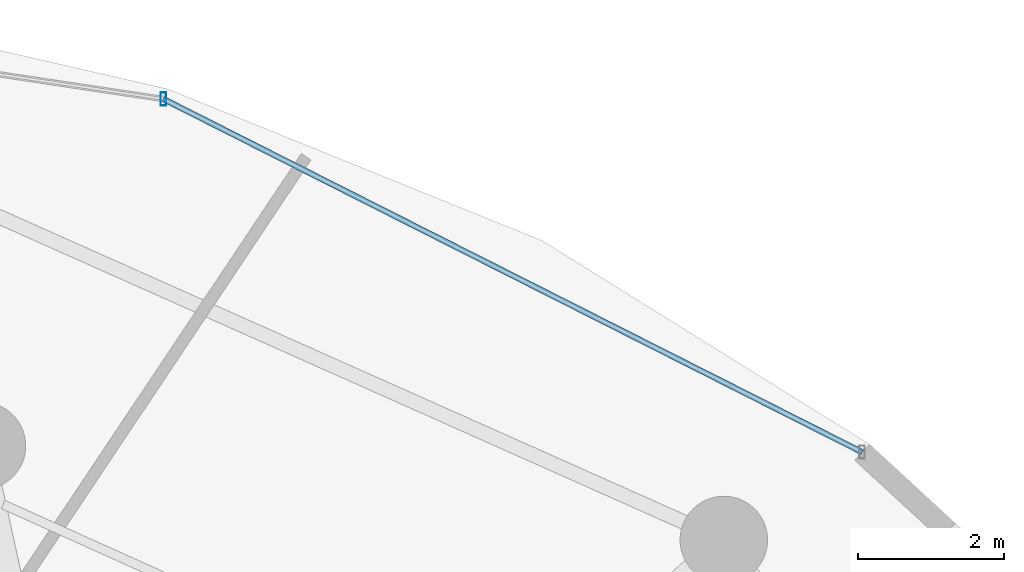
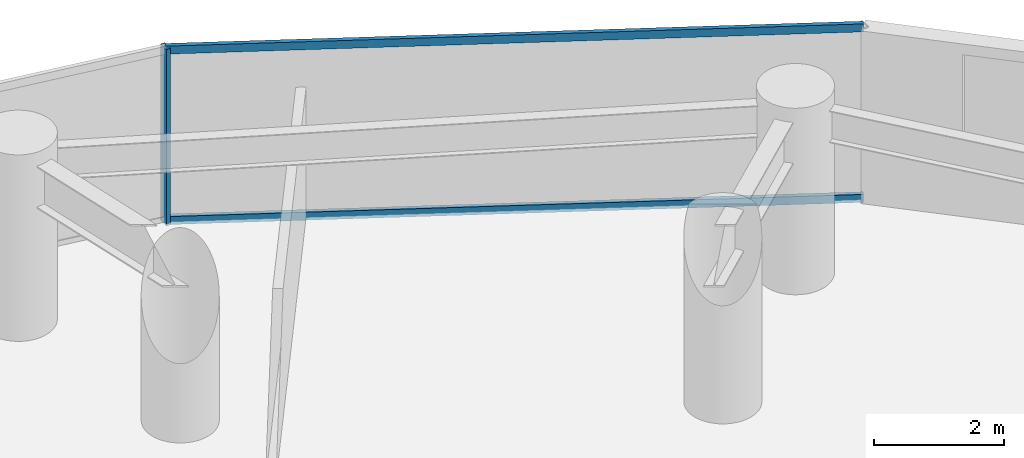
# One storey, part 24 of 35: 3 members, 1 element without a shape of its own.
"""IFC4 building model written with IfcOpenShell, lengths in metres."""

from ifc_helpers import new_model, si_unit, direction, frame, origin, origin_2d, place, context, subcontext, project, spatial, hollow_rectangle, extrude, material, material_profile, profile_set, type_object, element, aggregate, save


model = new_model("IFC4")

# Units and contexts
model_context = context("Model", 3, precision=1e-05, world=origin(), true_north=direction((0.0, 1.0)))
body_context = subcontext(model_context, "Body", "Model", "MODEL_VIEW")
ifc_project = project(units=[si_unit("LENGTHUNIT", "METRE"), si_unit("AREAUNIT", "SQUARE_METRE"), si_unit("VOLUMEUNIT", "CUBIC_METRE"), si_unit("PLANEANGLEUNIT", "RADIAN"), si_unit("MASSUNIT", "GRAM", prefix="KILO")], contexts=[model_context])

# Site, building, storey
site_placement = place(None, origin())
site = spatial("IfcSite", under=ifc_project, at=site_placement, CompositionType="ELEMENT")
building_placement = place(site_placement, origin())
building = spatial("IfcBuilding", under=site, at=building_placement, Name="Vorneva Point Tower", CompositionType="ELEMENT")
storey_placement = place(building_placement, frame((0.0, 0.0, 52.0)))
storey = spatial("IfcBuildingStorey", under=building, at=storey_placement, Name="L13", CompositionType="ELEMENT", Elevation=52.0)

# Curtain wall, members
ifc_material = material(Name="Pale anodised aluminium", Category="aluminium")
curtain_wall_type = type_object("IfcCurtainWallType", Name="CW-HTL-SYS", PredefinedType="NOTDEFINED", material=ifc_material)
curtain_wall_placement = place(storey_placement, origin())
curtain_wall = element("IfcCurtainWall", 1, at=curtain_wall_placement, inside=storey, type_object=curtain_wall_type, Name="L13 Unitised Curtain Wall CW-L13-R02", PredefinedType="NOTDEFINED")
ifc_material_profile_1 = material_profile(ifc_material, hollow_rectangle(XDim=0.074951171875, YDim=0.179931640625, WallThickness=0.00390625, at=origin_2d()), Name="AL-MUL 180x75x4")
ifc_profile_set_1 = profile_set([ifc_material_profile_1], Name="Pale anodised aluminium")
member_type_1 = type_object("IfcMemberType", Name="CW-MUL-180", PredefinedType="MULLION", material=ifc_profile_set_1)
member_1_placement = place(storey_placement, frame((49.308349609375, 46.648681640625, -0.0400390625), z_axis=(0.0, 0.0, 1.0), x_axis=(1.0, 0.0, 0.0)))
member_1 = element("IfcMember", 2, at=member_1_placement, type_object=member_type_1, Name="CW-L13-R02 Mullion 02", PredefinedType="MULLION", context=body_context, shape_type="SweptSolid", body=[
    extrude(hollow_rectangle(XDim=0.074951171875, YDim=0.179931640625, WallThickness=0.00390625, at=origin_2d()), origin(), (0.0, 0.0, 1.0), 3.31005859375),
])
ifc_material_profile_2 = material_profile(ifc_material, hollow_rectangle(XDim=0.074951171875, YDim=0.14990234375, WallThickness=0.00390625, at=origin_2d()), Name="AL-TRN 150x75x4")
ifc_profile_set_2 = profile_set([ifc_material_profile_2], Name="Pale anodised aluminium")
member_type_2 = type_object("IfcMemberType", Name="CW-TRN-150", PredefinedType="USERDEFINED", material=ifc_profile_set_2)
member_2_placement = place(storey_placement, frame((58.89501953125, 41.8037109375, 0.02001953125), z_axis=(-0.892496057621, 0.451055192999, 0.0), x_axis=(-0.451055192999, -0.892496057621, 0.0)))
member_2 = element("IfcMember", 3, at=member_2_placement, type_object=member_type_2, Name="CW-L13-R02 Transom 01.1", ObjectType="TRANSOM", PredefinedType="USERDEFINED", context=body_context, shape_type="SweptSolid", body=[
    extrude(hollow_rectangle(XDim=0.074951171875, YDim=0.14990234375, WallThickness=0.00390625, at=origin_2d()), origin(), (0.0, 0.0, 1.0), 10.741455078125),
])
member_3_placement = place(storey_placement, frame((58.89501953125, 41.8037109375, 3.219970703125), z_axis=(-0.892496057621, 0.451055192999, 0.0), x_axis=(-0.451055192999, -0.892496057621, 0.0)))
member_3 = element("IfcMember", 4, at=member_3_placement, type_object=member_type_2, Name="CW-L13-R02 Transom 01.2", ObjectType="TRANSOM", PredefinedType="USERDEFINED", context=body_context, shape_type="SweptSolid", body=[
    extrude(hollow_rectangle(XDim=0.074951171875, YDim=0.14990234375, WallThickness=0.00390625, at=origin_2d()), origin(), (0.0, 0.0, 1.0), 10.741455078125),
])
aggregate(curtain_wall, [member_1, member_2, member_3])

save(model, "model.ifc")
